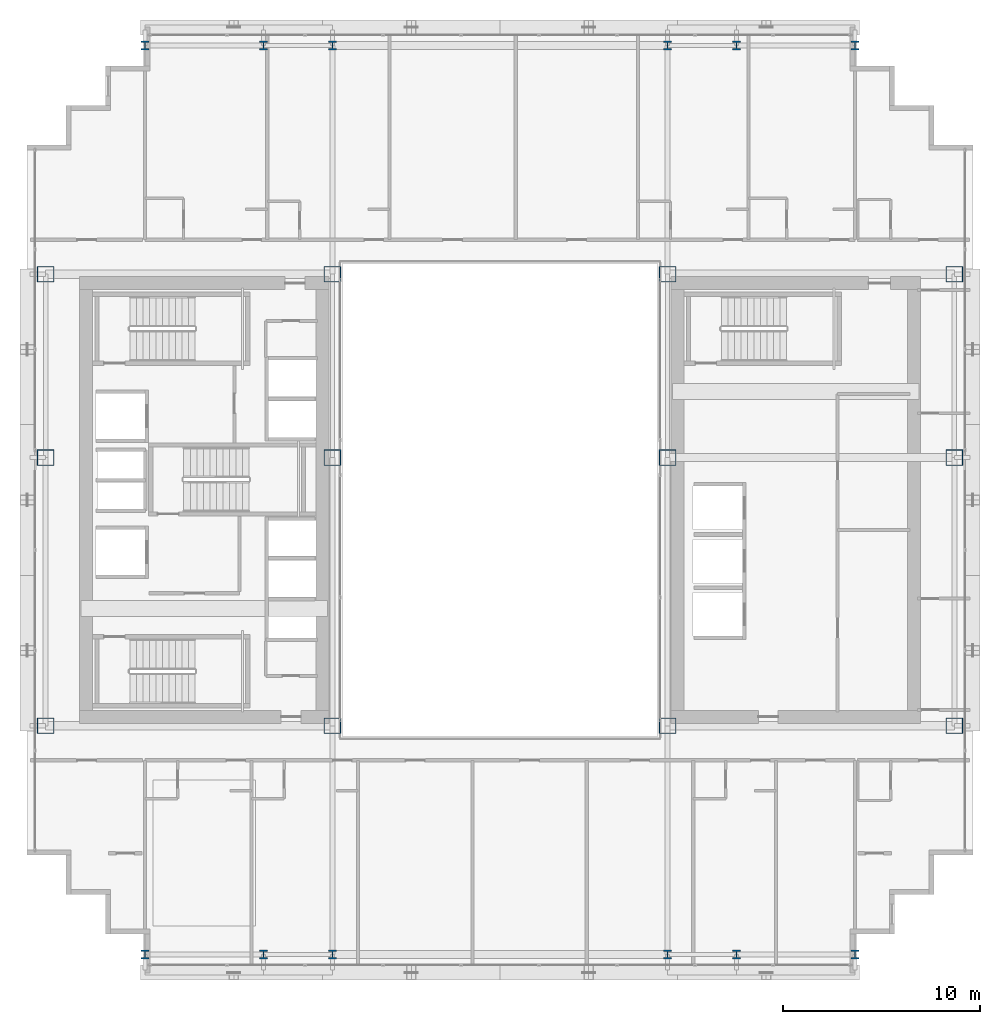
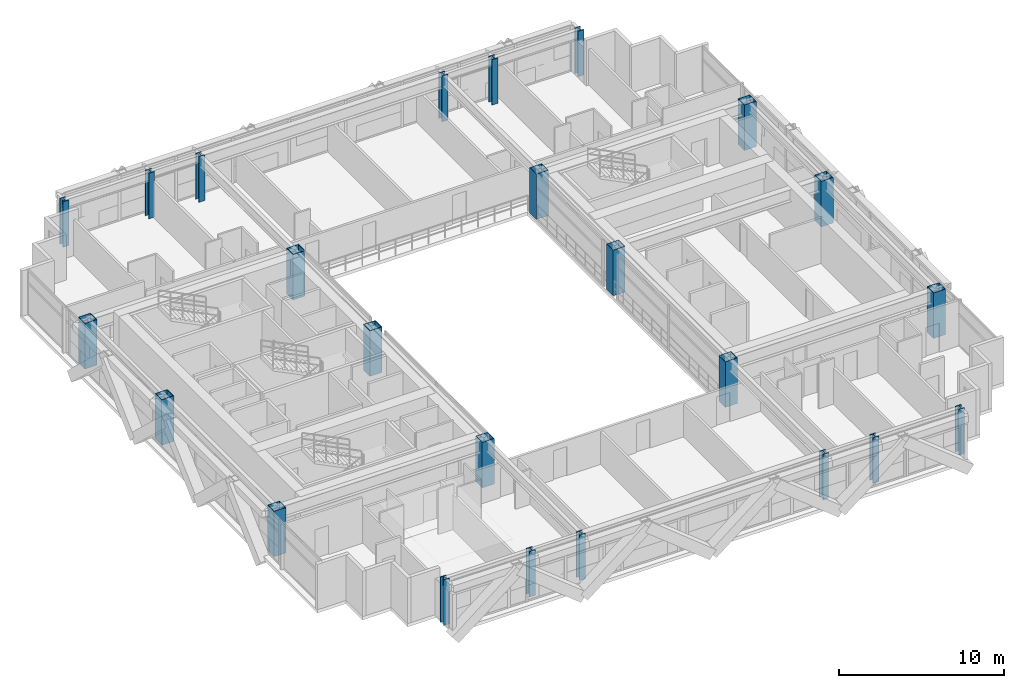
# One storey, part 1 of 39: 24 columns.
"""IFC4 building model written with IfcOpenShell, lengths in metres."""

from ifc_helpers import new_model, si_unit, direction, frame, origin, origin_2d, place, context, subcontext, project, spatial, hollow_rectangle, i_section, extrude, source, transform, mapped, material, material_profile, profile_set, type_object, element, save


model = new_model("IFC4")

# Units and contexts
model_context = context("Model", 3, precision=1e-05, world=origin(), true_north=direction((0.0, 1.0)))
body_context = subcontext(model_context, "Body", "Model", "MODEL_VIEW")
ifc_project = project(units=[si_unit("LENGTHUNIT", "METRE"), si_unit("AREAUNIT", "SQUARE_METRE"), si_unit("VOLUMEUNIT", "CUBIC_METRE"), si_unit("PLANEANGLEUNIT", "RADIAN"), si_unit("MASSUNIT", "GRAM", prefix="KILO")], contexts=[model_context])

# Site, building, storey
site_placement = place(None, origin())
site = spatial("IfcSite", under=ifc_project, at=site_placement, CompositionType="ELEMENT")
building_placement = place(site_placement, origin())
building = spatial("IfcBuilding", under=site, at=building_placement, Name="Ocotamira Hotel", CompositionType="ELEMENT")
storey_placement = place(building_placement, frame((0.0, 0.0, 126.0)))
storey = spatial("IfcBuildingStorey", under=building, at=storey_placement, Name="L31", CompositionType="ELEMENT", Elevation=126.0)

# Columns
ifc_material = material(Name="Steel ASTM A913 Grade 65", Category="steel")
ifc_material_profile_1 = material_profile(ifc_material, hollow_rectangle(XDim=0.85009765625, YDim=0.800048828125, WallThickness=0.031982421875, at=origin_2d()), Name="BOX800X850X32")
ifc_profile_set_1 = profile_set([ifc_material_profile_1], Name="Steel ASTM A913 Grade 65")
column_type_1 = type_object("IfcColumnType", Name="COL-BOX800", PredefinedType="COLUMN", material=ifc_profile_set_1)
shared_shape_1 = source(origin(), body_context, "Body", "SweptSolid", [
    extrude(hollow_rectangle(XDim=0.85009765625, YDim=0.800048828125, WallThickness=0.031982421875, at=origin_2d()), origin(), (0.0, 0.0, 1.0), 3.360107421875),
])
for number, where, z_axis, x_axis, name in (
    (1, (8.949951171875, 14.550048828125, 0.0), (0.0, 0.0, 1.0), (1.0, 0.0, 0.0), "L31 Column TW8_14"),
    (2, (23.5, 14.550048828125, 0.0), (0.0, 0.0, 1.0), (1.0, 0.0, 0.0), "L31 Column TW23_14"),
    (3, (40.5, 14.550048828125, 0.0), (0.0, 0.0, 1.0), (1.0, 0.0, 0.0), "L31 Column TE40_14"),
    (4, (55.050048828125, 14.550048828125, 0.0), (0.0, 0.0, 1.0), (1.0, 0.0, 0.0), "L31 Column TE55_14"),
    (5, (8.949951171875, 28.14990234375, 0.0), (0.0, 0.0, 1.0), (1.0, 0.0, 0.0), "L31 Column TW8_28"),
    (6, (23.5, 28.14990234375, 0.0), (0.0, 0.0, 1.0), (1.0, 0.0, 0.0), "L31 Column TW23_28"),
    (7, (40.5, 28.14990234375, 0.0), (0.0, 0.0, 1.0), (1.0, 0.0, 0.0), "L31 Column TE40_28"),
    (8, (55.050048828125, 28.14990234375, 0.0), (0.0, 0.0, 1.0), (1.0, 0.0, 0.0), "L31 Column TE55_28"),
    (9, (8.949951171875, 37.449951171875, 0.0), (0.0, 0.0, 1.0), (1.0, 0.0, 0.0), "L31 Column TW8_37"),
    (10, (23.5, 37.449951171875, 0.0), (0.0, 0.0, 1.0), (1.0, 0.0, 0.0), "L31 Column TW23_37"),
    (11, (40.5, 37.449951171875, 0.0), (0.0, 0.0, 1.0), (1.0, 0.0, 0.0), "L31 Column TE40_37"),
    (12, (55.050048828125, 37.449951171875, 0.0), (0.0, 0.0, 1.0), (1.0, 0.0, 0.0), "L31 Column TE55_37"),
):
    element("IfcColumn", number, at=place(storey_placement, frame(where, z_axis=z_axis, x_axis=x_axis)), inside=storey, type_object=column_type_1, Name=name, PredefinedType="COLUMN", context=body_context, shape_type="MappedRepresentation", body=[
        mapped(shared_shape_1, transform((0.0, 0.0, 0.0), scale=1.0)),
    ])
ifc_material_profile_2 = material_profile(ifc_material, i_section(OverallWidth=0.412109375, OverallDepth=0.43505859375, WebThickness=0.035888671875, FlangeThickness=0.057373046875, FilletRadius=0.02490234375, at=origin_2d()), Name="W14X311")
ifc_profile_set_2 = profile_set([ifc_material_profile_2], Name="Steel ASTM A913 Grade 65")
column_type_2 = type_object("IfcColumnType", Name="COL-W14X311", PredefinedType="COLUMN", material=ifc_profile_set_2)
shared_shape_2 = source(origin(), body_context, "Body", "SweptSolid", [
    extrude(i_section(OverallWidth=0.412109375, OverallDepth=0.43505859375, WebThickness=0.035888671875, FlangeThickness=0.057373046875, FilletRadius=0.02490234375, at=origin_2d()), origin(), (0.0, 0.0, 1.0), 3.360107421875),
])
for number, where, z_axis, x_axis, name in (
    (13, (14.0, 2.949951171875, 0.0), (0.0, 0.0, 1.0), (1.0, 0.0, 0.0), "L31 Column NSP1_14"),
    (14, (20.0, 2.949951171875, 0.0), (0.0, 0.0, 1.0), (1.0, 0.0, 0.0), "L31 Column NSP1_20"),
    (15, (23.5, 2.949951171875, 0.0), (0.0, 0.0, 1.0), (1.0, 0.0, 0.0), "L31 Column NSP1_23"),
    (16, (40.5, 2.949951171875, 0.0), (0.0, 0.0, 1.0), (1.0, 0.0, 0.0), "L31 Column NSP1_40"),
    (17, (44.0, 2.949951171875, 0.0), (0.0, 0.0, 1.0), (1.0, 0.0, 0.0), "L31 Column NSP1_44"),
    (18, (50.0, 2.949951171875, 0.0), (0.0, 0.0, 1.0), (1.0, 0.0, 0.0), "L31 Column NSP1_50"),
    (19, (14.0, 49.050048828125, 0.0), (0.0, 0.0, 1.0), (1.0, 0.0, 0.0), "L31 Column NSP2_14"),
    (20, (20.0, 49.050048828125, 0.0), (0.0, 0.0, 1.0), (1.0, 0.0, 0.0), "L31 Column NSP2_20"),
    (21, (23.5, 49.050048828125, 0.0), (0.0, 0.0, 1.0), (1.0, 0.0, 0.0), "L31 Column NSP2_23"),
    (22, (40.5, 49.050048828125, 0.0), (0.0, 0.0, 1.0), (1.0, 0.0, 0.0), "L31 Column NSP2_40"),
    (23, (44.0, 49.050048828125, 0.0), (0.0, 0.0, 1.0), (1.0, 0.0, 0.0), "L31 Column NSP2_44"),
    (24, (50.0, 49.050048828125, 0.0), (0.0, 0.0, 1.0), (1.0, 0.0, 0.0), "L31 Column NSP2_50"),
):
    element("IfcColumn", number, at=place(storey_placement, frame(where, z_axis=z_axis, x_axis=x_axis)), inside=storey, type_object=column_type_2, Name=name, PredefinedType="COLUMN", context=body_context, shape_type="MappedRepresentation", body=[
        mapped(shared_shape_2, transform((0.0, 0.0, 0.0), scale=1.0)),
    ])

save(model, "model.ifc")
